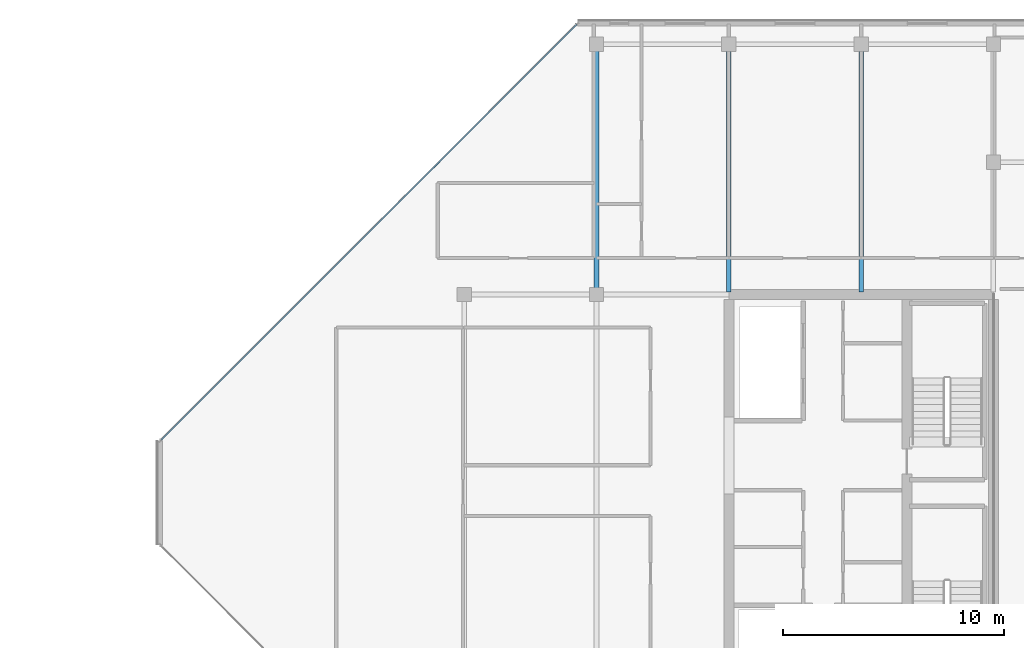
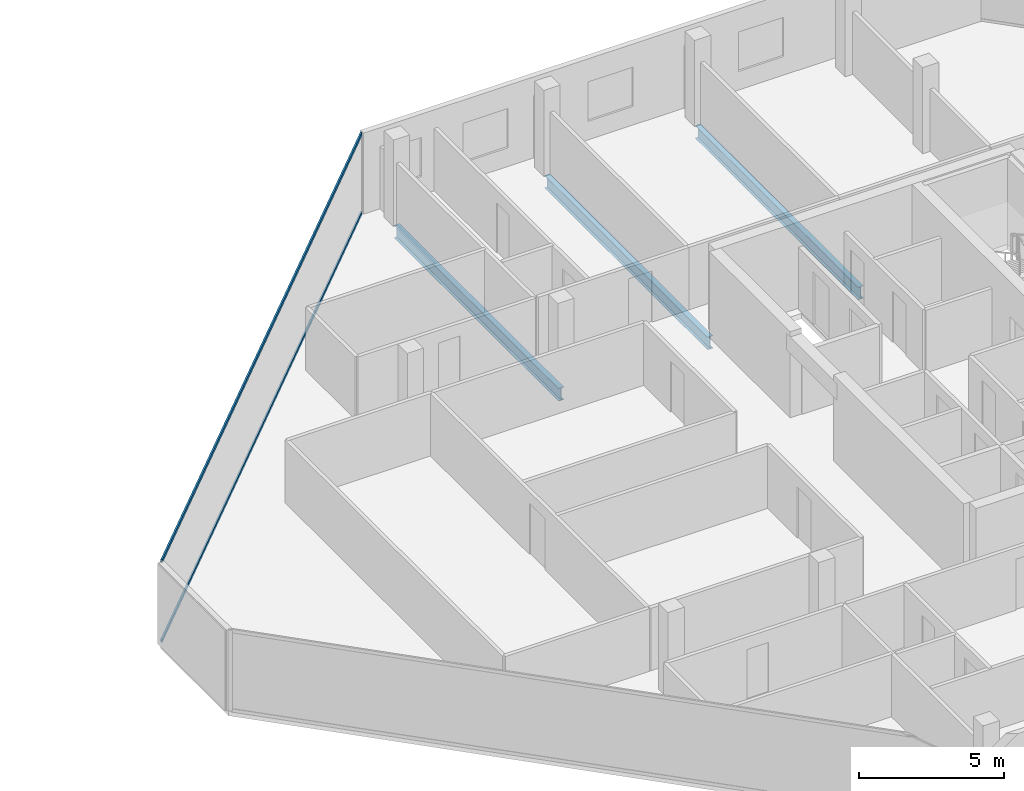
# One storey, part 13 of 28: 3 beams, 2 members, 1 element without a shape of its own.
"""IFC4 building model written with IfcOpenShell, lengths in metres."""

from ifc_helpers import new_model, si_unit, direction, frame, origin, origin_2d, place, context, subcontext, project, spatial, hollow_rectangle, i_section, extrude, material, layer, layer_set, material_profile, profile_set, type_object, element, aggregate, save


model = new_model("IFC4")

# Units and contexts
model_context = context("Model", 3, precision=1e-05, world=origin(), true_north=direction((0.0, 1.0)))
body_context = subcontext(model_context, "Body", "Model", "MODEL_VIEW")
ifc_project = project(units=[si_unit("LENGTHUNIT", "METRE"), si_unit("AREAUNIT", "SQUARE_METRE"), si_unit("VOLUMEUNIT", "CUBIC_METRE"), si_unit("PLANEANGLEUNIT", "RADIAN"), si_unit("MASSUNIT", "GRAM", prefix="KILO")], contexts=[model_context])

# Site, building, storey
site_placement = place(None, origin())
site = spatial("IfcSite", under=ifc_project, at=site_placement, CompositionType="ELEMENT")
building_placement = place(site_placement, origin())
building = spatial("IfcBuilding", under=site, at=building_placement, Name="Tanjung Sevakor Pilgrim Tower", CompositionType="ELEMENT")
storey_placement = place(building_placement, frame((0.0, 0.0, 249.81005859375)))
storey = spatial("IfcBuildingStorey", under=building, at=storey_placement, Name="L70", CompositionType="ELEMENT", Elevation=249.81005859375)

# Beams
ifc_material_1 = material(Name="Steel S355J2", Category="steel")
ifc_material_profile_1 = material_profile(ifc_material_1, i_section(OverallWidth=0.210693359375, OverallDepth=0.53955078125, WebThickness=0.01171875, FlangeThickness=0.018798828125, FilletRadius=0.0126953125, at=origin_2d()))
ifc_profile_set_1 = profile_set([ifc_material_profile_1], Name="Steel S355J2")
beam_type = type_object("IfcBeamType", Name="BM-B-G6-UB_533x210x109", PredefinedType="BEAM", material=ifc_profile_set_1)
beam_placement = place(storey_placement, frame((72.0, 42.60009765625, -0.48974609375), z_axis=(0.0, 1.0, 0.0), x_axis=(-1.0, 0.0, 0.0)))
element("IfcBeam", 1, at=beam_placement, inside=storey, type_object=beam_type, Name="L70 EAST Girder 004", PredefinedType="BEAM", context=body_context, shape_type="SweptSolid", body=[
    extrude(i_section(OverallWidth=0.210693359375, OverallDepth=0.53955078125, WebThickness=0.01171875, FlangeThickness=0.018798828125, FilletRadius=0.0126953125, at=origin_2d()), origin(), (0.0, 0.0, 1.0), 11.349853515625),
])
for number, where, z_axis, x_axis, name in (
    (2, (78.0, 42.7060546875, -0.48974609375), (0.0, 1.0, 0.0), (-1.0, 0.0, 0.0), "L70 EAST Girder 006"),
    (3, (84.0, 42.7060546875, -0.48974609375), (0.0, 1.0, 0.0), (-1.0, 0.0, 0.0), "L70 EAST Girder 008"),
):
    element("IfcBeam", number, at=place(storey_placement, frame(where, z_axis=z_axis, x_axis=x_axis)), inside=storey, type_object=beam_type, Name=name, PredefinedType="BEAM", context=body_context, shape_type="SweptSolid", body=[
        extrude(i_section(OverallWidth=0.210693359375, OverallDepth=0.53955078125, WebThickness=0.01171875, FlangeThickness=0.018798828125, FilletRadius=0.0126953125, at=origin_2d()), origin(), (0.0, 0.0, 1.0), 11.243896484375),
    ])

# Curtain wall, members
ifc_material_2 = material(Name="Aluminium 6063-T6 and Low-E Glass", Category="aluminium")
ifc_layer = layer(ifc_material_2, 0.179931640625)
ifc_layer_set = layer_set([ifc_layer], Name="CW-SYS-CHAM")
curtain_wall_type = type_object("IfcCurtainWallType", Name="CW-SYS-CHAM", PredefinedType="NOTDEFINED", material=ifc_layer_set)
curtain_wall_placement = place(storey_placement, origin())
curtain_wall = element("IfcCurtainWall", 4, at=curtain_wall_placement, inside=storey, type_object=curtain_wall_type, Name="L70 Curtain Wall CW-CHM-L70-EAST-5", PredefinedType="NOTDEFINED")
ifc_material_3 = material(Name="Aluminium 6063-T6", Category="aluminium")
ifc_material_profile_2 = material_profile(ifc_material_3, hollow_rectangle(XDim=0.06494140625, YDim=0.139892578125, WallThickness=0.00390625, at=origin_2d()))
ifc_profile_set_2 = profile_set([ifc_material_profile_2], Name="Aluminium 6063-T6")
member_type = type_object("IfcMemberType", Name="TYPE-CWT-1", PredefinedType="USERDEFINED", material=ifc_profile_set_2)
member_1_placement = place(storey_placement, frame((71.099609375, 54.843994140625, 0.032470703125), z_axis=(-0.707106781187, -0.707106781187, 0.0), x_axis=(0.707106781187, -0.707106781187, 0.0)))
member_1 = element("IfcMember", 5, at=member_1_placement, type_object=member_type, Name="CW-CHM transom 1.1", ObjectType="TRANSOM", PredefinedType="USERDEFINED", context=body_context, shape_type="SweptSolid", body=[
    extrude(hollow_rectangle(XDim=0.06494140625, YDim=0.139892578125, WallThickness=0.00390625, at=origin_2d()), origin(), (0.0, 0.0, 1.0), 26.649169921875),
])
member_2_placement = place(storey_placement, frame((71.099609375, 54.843994140625, 3.37744140625), z_axis=(-0.707106781187, -0.707106781187, 0.0), x_axis=(0.707106781187, -0.707106781187, 0.0)))
member_2 = element("IfcMember", 6, at=member_2_placement, type_object=member_type, Name="CW-CHM transom 1.2", ObjectType="TRANSOM", PredefinedType="USERDEFINED", context=body_context, shape_type="SweptSolid", body=[
    extrude(hollow_rectangle(XDim=0.06494140625, YDim=0.139892578125, WallThickness=0.00390625, at=origin_2d()), origin(), (0.0, 0.0, 1.0), 26.649169921875),
])
aggregate(curtain_wall, [member_1, member_2])

save(model, "model.ifc")
